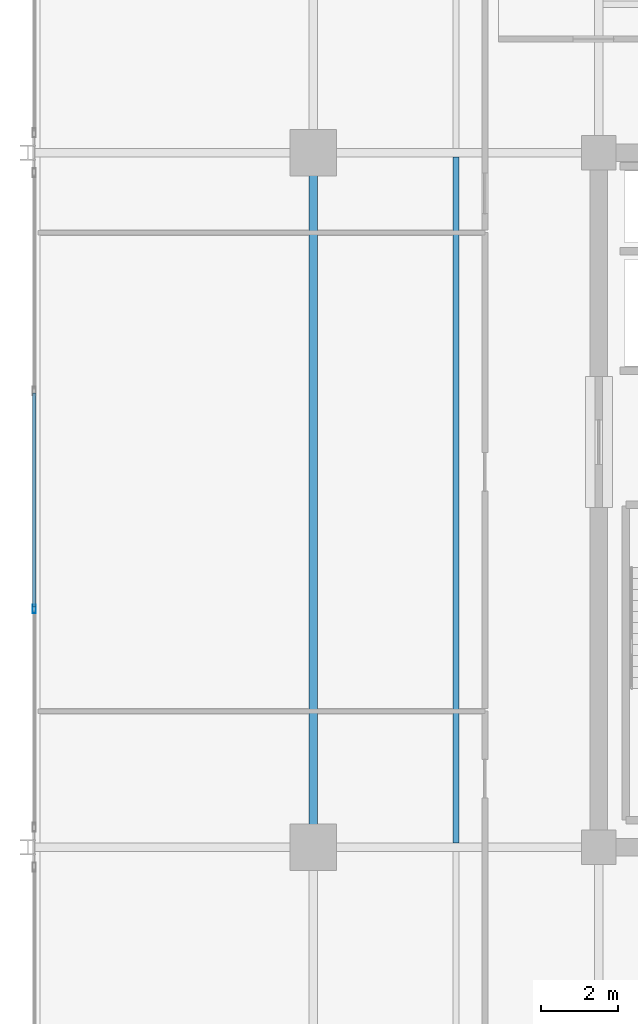
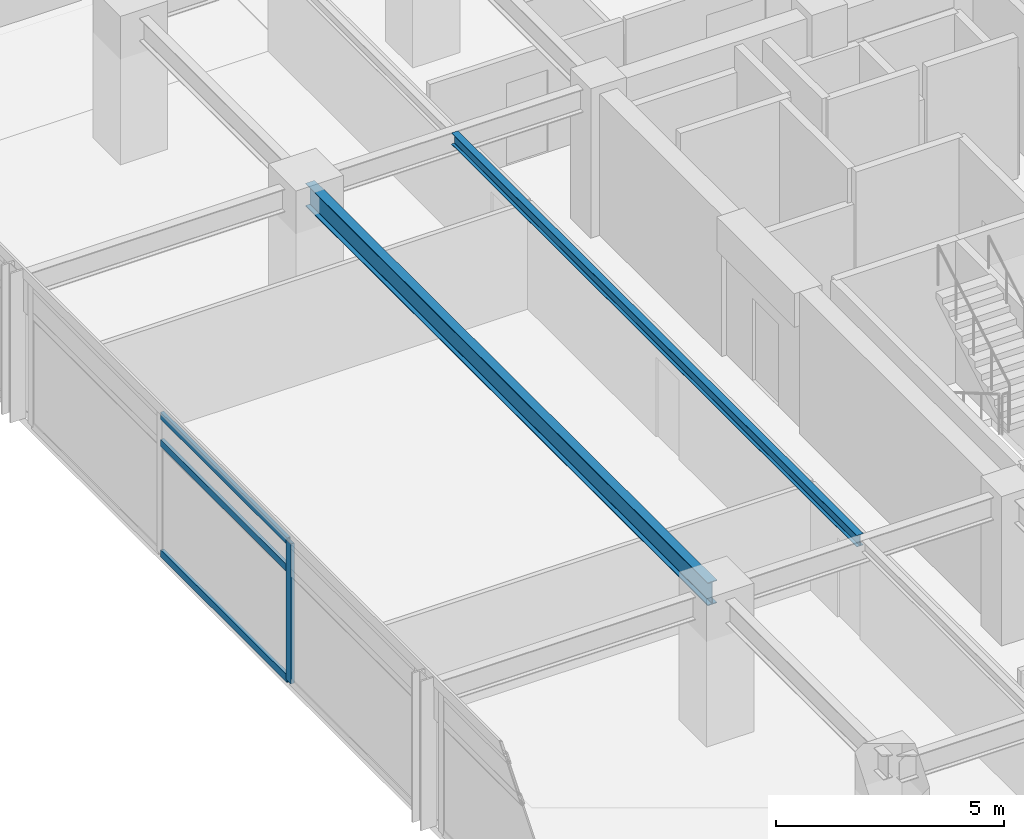
# One storey, part 5 of 21: 4 members, 2 beams, 1 element without a shape of its own.
"""IFC4 building model written with IfcOpenShell, lengths in metres."""

import ifcopenshell
import ifcopenshell.guid

model = None  # the IFC model being written
_history = None  # IfcOwnerHistory: only IFC2X3 demands one
_inside = {}  # id of a spatial element -> (the spatial element, [elements in it])
_under = {}  # id of a project, library or spatial element -> (it, [spatial elements below it])
_declared = {}  # id of a project -> (the project, [libraries it declares])
_typed = {}  # id of a type object -> (the type object, [elements of that type])
_made_of = {}  # id of a material, layer set ... -> (it, [elements and type objects made of it])


def new_model(schema):
    """Start an empty IFC model of exactly this schema.

    Asked for "IFC4X3", IfcOpenShell would pick the latest addendum, in which some entities
    have other attributes; the version numbers below select the first issue.
    IFC2X3 requires an IfcOwnerHistory on every rooted entity: one is made here for all.
    """
    global model, _history
    if schema == "IFC4X3":
        model = ifcopenshell.file(schema_version=(4, 3, 0, 0))
    else:
        model = ifcopenshell.file(schema=schema)
    _inside.clear()
    _under.clear()
    _declared.clear()
    _typed.clear()
    _made_of.clear()
    _history = None
    if model.schema == "IFC2X3":
        org = make("IfcOrganization", Name="unknown")
        user = make(
            "IfcPersonAndOrganization",
            ThePerson=make("IfcPerson", FamilyName="unknown"),
            TheOrganization=org,
        )
        app = make(
            "IfcApplication",
            ApplicationDeveloper=org,
            Version="unknown",
            ApplicationFullName="unknown",
            ApplicationIdentifier="unknown",
        )
        _history = make(
            "IfcOwnerHistory",
            OwningUser=user,
            OwningApplication=app,
            ChangeAction="ADDED",
            CreationDate=0,
        )
    return model


def make(cls, **values):
    """One entity of the class cls with the attributes given. An attribute that is None is left unset."""
    return model.create_entity(
        cls, **{name: value for name, value in values.items() if value is not None}
    )


def rooted(cls, **values):
    """An entity with a GlobalId (a new one), such as an element, a storey or a relation."""
    return make(cls, GlobalId=ifcopenshell.guid.new(), OwnerHistory=_history, **values)


def si_unit(unit_type, name, prefix=None):
    """IfcSIUnit, for example si_unit("LENGTHUNIT", "METRE", prefix="MILLI")."""
    return make("IfcSIUnit", UnitType=unit_type, Prefix=prefix, Name=name)


def assignment(units):
    """IfcUnitAssignment: the units of a project."""
    return None if units is None else make("IfcUnitAssignment", Units=units)


def point(xyz):
    """IfcCartesianPoint."""
    return None if xyz is None else make("IfcCartesianPoint", Coordinates=xyz)


def direction(xyz):
    """IfcDirection."""
    return None if xyz is None else make("IfcDirection", DirectionRatios=xyz)


def frame(location, z_axis=None, x_axis=None):
    """IfcAxis2Placement3D, a coordinate frame: its origin and axes. An axis left out is left unset."""
    return make(
        "IfcAxis2Placement3D",
        Location=point(location),
        Axis=direction(z_axis),
        RefDirection=direction(x_axis),
    )


def frame_2d(location, x_axis=None):
    """IfcAxis2Placement2D, a coordinate frame in the plane: its origin and x axis."""
    return make(
        "IfcAxis2Placement2D", Location=point(location), RefDirection=direction(x_axis)
    )


def origin():
    """The frame at (0, 0, 0) with its axes left unset."""
    return frame((0.0, 0.0, 0.0))


def origin_2d():
    """The frame at (0, 0) in the plane with its x axis left unset."""
    return frame_2d((0.0, 0.0))


def place(relative_to, where):
    """IfcLocalPlacement: puts the frame where relative to a parent placement (None: the world)."""
    return make(
        "IfcLocalPlacement", PlacementRelTo=relative_to, RelativePlacement=where
    )


def context(
    kind, dimensions, precision=None, world=None, true_north=None, identifier=None
):
    """IfcGeometricRepresentationContext, for example the 3D "Model" context."""
    return make(
        "IfcGeometricRepresentationContext",
        ContextIdentifier=identifier,
        ContextType=kind,
        CoordinateSpaceDimension=dimensions,
        Precision=precision,
        WorldCoordinateSystem=world,
        TrueNorth=true_north,
    )


def subcontext(parent, identifier, kind, view, scale=None):
    """IfcGeometricRepresentationSubContext, for example "Body" below "Model"."""
    return make(
        "IfcGeometricRepresentationSubContext",
        ContextIdentifier=identifier,
        ContextType=kind,
        ParentContext=parent,
        TargetScale=scale,
        TargetView=view,
    )


def project(units=None, contexts=None):
    """IfcProject with its units and contexts."""
    return rooted(
        "IfcProject",
        Name="project",
        RepresentationContexts=contexts,
        UnitsInContext=assignment(units),
    )


def spatial(cls, under=None, at=None, **own):
    """A site, building, storey or space (cls), placed at a placement, below another one or the project."""
    s = rooted(cls, ObjectPlacement=at, **own)
    if under is not None:
        _under.setdefault(under.id(), (under, []))[1].append(s)
    return s


def profile(cls, at=None, kind="AREA", **sizes):
    """A parametric profile (cls). Its sizes go by their IFC names, for example OverallWidth=200.0."""
    return make(cls, ProfileType=kind, Position=at, **sizes)


def hollow_rectangle(**sizes):
    """IfcRectangleHollowProfileDef."""
    return profile("IfcRectangleHollowProfileDef", **sizes)


def i_section(**sizes):
    """IfcIShapeProfileDef."""
    return profile("IfcIShapeProfileDef", **sizes)


def extrude(swept, where, along, depth):
    """IfcExtrudedAreaSolid: the profile swept, set in the frame where, extruded along a direction by depth."""
    return make(
        "IfcExtrudedAreaSolid",
        SweptArea=swept,
        Position=where,
        ExtrudedDirection=direction(along),
        Depth=depth,
    )


def shape(context_of_items, identifier, shape_type, items):
    """IfcShapeRepresentation: the items that make up one representation, for example the "Body"."""
    return make(
        "IfcShapeRepresentation",
        ContextOfItems=context_of_items,
        RepresentationIdentifier=identifier,
        RepresentationType=shape_type,
        Items=items,
    )


def material(Name=None, Category=None):
    """IfcMaterial."""
    return make("IfcMaterial", Name=Name, Category=Category)


def material_profile(
    of_material, cross_section, Name=None, Category=None, Priority=None
):
    """IfcMaterialProfile: a cross section and its material."""
    return make(
        "IfcMaterialProfile",
        Name=Name,
        Material=of_material,
        Profile=cross_section,
        Priority=Priority,
        Category=Category,
    )


def profile_set(profiles, Name=None, composite=None):
    """IfcMaterialProfileSet."""
    return make(
        "IfcMaterialProfileSet",
        Name=Name,
        MaterialProfiles=profiles,
        CompositeProfile=composite,
    )


def made_of(thing, what):
    """Note that an element or type object is made of a material, layer set ...; save() writes the relation."""
    if what is not None:
        _made_of.setdefault(what.id(), (what, []))[1].append(thing)
    return thing


def type_object(cls, material=None, **own):
    """A type object (cls), such as IfcWallType, which elements share."""
    return made_of(rooted(cls, **own), material)


def element(
    cls,
    number,
    at=None,
    inside=None,
    cuts=None,
    type_object=None,
    material=None,
    context=None,
    identifier="Body",
    shape_type=None,
    held_by="IfcProductDefinitionShape",
    body=None,
    shapes=None,
    **own,
):
    """One element of the class cls, such as IfcWall. Its Tag is "e" and its number.

    at: its placement. inside: the storey or other place that contains it. cuts: it is an
    opening in that element (IfcRelVoidsElement). A single representation is given by context,
    identifier, shape_type and body (its items); several are given by shapes. held_by: the class
    of the entity that holds the representations. save() writes the other relations.
    """
    e = rooted(cls, Tag="e%d" % number, ObjectPlacement=at, **own)
    if body is not None:
        shapes = [shape(context, identifier, shape_type, body)]
    if shapes is not None:
        e.Representation = make(held_by, Representations=shapes)
    if inside is not None:
        _inside.setdefault(inside.id(), (inside, []))[1].append(e)
    if cuts is not None:
        rooted(
            "IfcRelVoidsElement", RelatingBuildingElement=cuts, RelatedOpeningElement=e
        )
    if type_object is not None:
        _typed.setdefault(type_object.id(), (type_object, []))[1].append(e)
    return made_of(e, material)


def aggregate(whole, parts):
    """IfcRelAggregates: a whole, such as a stair, and the parts it consists of."""
    return rooted("IfcRelAggregates", RelatingObject=whole, RelatedObjects=parts)


def save(model, path):
    """Write the relations noted so far, then the file.

    IfcRelAggregates (storeys below a building ...), IfcRelContainedInSpatialStructure (elements
    in a storey), IfcRelDefinesByType, IfcRelAssociatesMaterial and IfcRelDeclares: one each for
    every whole, place, type object, material and project.
    """
    for whole, parts in _under.values():
        aggregate(whole, parts)
    for where, things in _inside.values():
        rooted(
            "IfcRelContainedInSpatialStructure",
            RelatedElements=things,
            RelatingStructure=where,
        )
    for kind, things in _typed.values():
        rooted("IfcRelDefinesByType", RelatedObjects=things, RelatingType=kind)
    for what, things in _made_of.values():
        rooted("IfcRelAssociatesMaterial", RelatedObjects=things, RelatingMaterial=what)
    for by, libraries in _declared.values():
        rooted("IfcRelDeclares", RelatingContext=by, RelatedDefinitions=libraries)
    model.write(path)


model = new_model("IFC4")

# Units and contexts
model_context = context("Model", 3, precision=1e-05, world=origin(), true_north=direction((0.0, 1.0)))
body_context = subcontext(model_context, "Body", "Model", "MODEL_VIEW")
ifc_project = project(units=[si_unit("LENGTHUNIT", "METRE"), si_unit("AREAUNIT", "SQUARE_METRE"), si_unit("VOLUMEUNIT", "CUBIC_METRE"), si_unit("PLANEANGLEUNIT", "RADIAN"), si_unit("MASSUNIT", "GRAM", prefix="KILO")], contexts=[model_context])

# Site, building, storey
site_placement = place(None, origin())
site = spatial("IfcSite", under=ifc_project, at=site_placement, CompositionType="ELEMENT")
building_placement = place(site_placement, origin())
building = spatial("IfcBuilding", under=site, at=building_placement, Name="Kovane Verandah Tower", CompositionType="ELEMENT")
storey_placement = place(building_placement, frame((0.0, 0.0, 283.199951171875)))
storey = spatial("IfcBuildingStorey", under=building, at=storey_placement, Name="L66", CompositionType="ELEMENT", Elevation=283.199951171875)

# Beam
ifc_material_1 = material(Name="Steel S355", Category="steel")
ifc_material_profile_1 = material_profile(ifc_material_1, i_section(OverallWidth=0.230224609375, OverallDepth=0.6171875, WebThickness=0.01318359375, FlangeThickness=0.022216796875, FilletRadius=0.0126953125, at=origin_2d()), Name="UB610x229x140")
ifc_profile_set_1 = profile_set([ifc_material_profile_1], Name="Steel S355")
beam_type_1 = type_object("IfcBeamType", Name="BM-UB610x140", PredefinedType="BEAM", material=ifc_profile_set_1)
beam_1_placement = place(storey_placement, frame((21.60009765625, 18.679931640625, 3.4765625), z_axis=(0.0, 1.0, 0.0), x_axis=(-1.0, 0.0, 0.0)))
element("IfcBeam", 1, at=beam_1_placement, inside=storey, type_object=beam_type_1, Name="L66 Primary Tower Girder G-RW2", PredefinedType="BEAM", context=body_context, shape_type="SweptSolid", body=[
    extrude(i_section(OverallWidth=0.230224609375, OverallDepth=0.6171875, WebThickness=0.01318359375, FlangeThickness=0.022216796875, FilletRadius=0.0126953125, at=origin_2d()), origin(), (0.0, 0.0, 1.0), 17.64013671875),
])

# Curtain wall, members
ifc_material_2 = material(Name="Champagne Anodised Aluminium Frame with Low-E Clear Laminated Glass", Category="aluminium")
curtain_wall_type = type_object("IfcCurtainWallType", Name="CW-SYS-05-HIGH", PredefinedType="NOTDEFINED", material=ifc_material_2)
curtain_wall_placement = place(storey_placement, origin())
curtain_wall = element("IfcCurtainWall", 2, at=curtain_wall_placement, inside=storey, type_object=curtain_wall_type, Name="L66 W Unitised Curtain Wall-2", PredefinedType="NOTDEFINED")
ifc_material_3 = material(Name="Champagne Anodised Aluminium 6063-T6", Category="aluminium")
ifc_material_profile_2 = material_profile(ifc_material_3, hollow_rectangle(XDim=0.0849609375, YDim=0.22998046875, WallThickness=0.00390625, at=origin_2d()), Name="AL85x230x4")
ifc_profile_set_2 = profile_set([ifc_material_profile_2], Name="Champagne Anodised Aluminium 6063-T6")
member_type_1 = type_object("IfcMemberType", Name="CW-MUL-85x230", PredefinedType="MULLION", material=ifc_profile_set_2)
member_1_placement = place(storey_placement, frame((14.36865234375, 24.67333984375, 0.02001953125), z_axis=(0.0, 0.0, 1.0), x_axis=(-1.0, 0.0, 0.0)))
member_1 = element("IfcMember", 3, at=member_1_placement, type_object=member_type_1, Name="L66 W Unitised Curtain Wall-2 Mullion 3", PredefinedType="MULLION", context=body_context, shape_type="SweptSolid", body=[
    extrude(hollow_rectangle(XDim=0.0849609375, YDim=0.22998046875, WallThickness=0.00390625, at=origin_2d()), origin(), (0.0, 0.0, 1.0), 3.7451171875),
])
ifc_material_profile_3 = material_profile(ifc_material_3, hollow_rectangle(XDim=0.0849609375, YDim=0.18994140625, WallThickness=0.00390625, at=origin_2d()), Name="AL85x190x4")
ifc_profile_set_3 = profile_set([ifc_material_profile_3], Name="Champagne Anodised Aluminium 6063-T6")
member_type_2 = type_object("IfcMemberType", Name="CW-TRN-85x190", PredefinedType="USERDEFINED", material=ifc_profile_set_3)
member_2_placement = place(storey_placement, frame((14.36865234375, 30.276611328125, 0.050048828125), z_axis=(0.0, -1.0, 0.0), x_axis=(1.0, 0.0, 0.0)))
member_2 = element("IfcMember", 4, at=member_2_placement, type_object=member_type_2, Name="L66 W Unitised Curtain Wall-2 Transom TB Bay 2", ObjectType="TRANSOM", PredefinedType="USERDEFINED", context=body_context, shape_type="SweptSolid", body=[
    extrude(hollow_rectangle(XDim=0.0849609375, YDim=0.18994140625, WallThickness=0.00390625, at=origin_2d()), origin(), (0.0, 0.0, 1.0), 5.55322265625),
])
member_3_placement = place(storey_placement, frame((14.36865234375, 30.276611328125, 3.005126953125), z_axis=(0.0, -1.0, 0.0), x_axis=(1.0, 0.0, 0.0)))
member_3 = element("IfcMember", 5, at=member_3_placement, type_object=member_type_2, Name="L66 W Unitised Curtain Wall-2 Transom TM Bay 2", ObjectType="TRANSOM", PredefinedType="USERDEFINED", context=body_context, shape_type="SweptSolid", body=[
    extrude(hollow_rectangle(XDim=0.0849609375, YDim=0.18994140625, WallThickness=0.00390625, at=origin_2d()), origin(), (0.0, 0.0, 1.0), 5.55322265625),
])
member_4_placement = place(storey_placement, frame((14.36865234375, 30.276611328125, 3.735107421875), z_axis=(0.0, -1.0, 0.0), x_axis=(1.0, 0.0, 0.0)))
member_4 = element("IfcMember", 6, at=member_4_placement, type_object=member_type_2, Name="L66 W Unitised Curtain Wall-2 Transom TT Bay 2", ObjectType="TRANSOM", PredefinedType="USERDEFINED", context=body_context, shape_type="SweptSolid", body=[
    extrude(hollow_rectangle(XDim=0.0849609375, YDim=0.18994140625, WallThickness=0.00390625, at=origin_2d()), origin(), (0.0, 0.0, 1.0), 5.55322265625),
])
aggregate(curtain_wall, [member_1, member_2, member_3, member_4])

# Beam
ifc_material_profile_4 = material_profile(ifc_material_1, i_section(OverallWidth=0.1669921875, OverallDepth=0.310302734375, WebThickness=0.0078125, FlangeThickness=0.013671875, FilletRadius=0.0087890625, at=origin_2d()), Name="UB305x165x54")
ifc_profile_set_4 = profile_set([ifc_material_profile_4], Name="Steel S355")
beam_type_2 = type_object("IfcBeamType", Name="JST-UB305x54", PredefinedType="JOIST", material=ifc_profile_set_4)
beam_2_placement = place(storey_placement, frame((25.300048828125, 18.613037109375, 3.6298828125), z_axis=(0.0, 1.0, 0.0), x_axis=(-1.0, 0.0, 0.0)))
element("IfcBeam", 7, at=beam_2_placement, inside=storey, type_object=beam_type_2, Name="L66 Secondary Composite Joist J-W1", PredefinedType="JOIST", context=body_context, shape_type="SweptSolid", body=[
    extrude(i_section(OverallWidth=0.1669921875, OverallDepth=0.310302734375, WebThickness=0.0078125, FlangeThickness=0.013671875, FilletRadius=0.0087890625, at=origin_2d()), origin(), (0.0, 0.0, 1.0), 17.77392578125),
])

save(model, "model.ifc")
